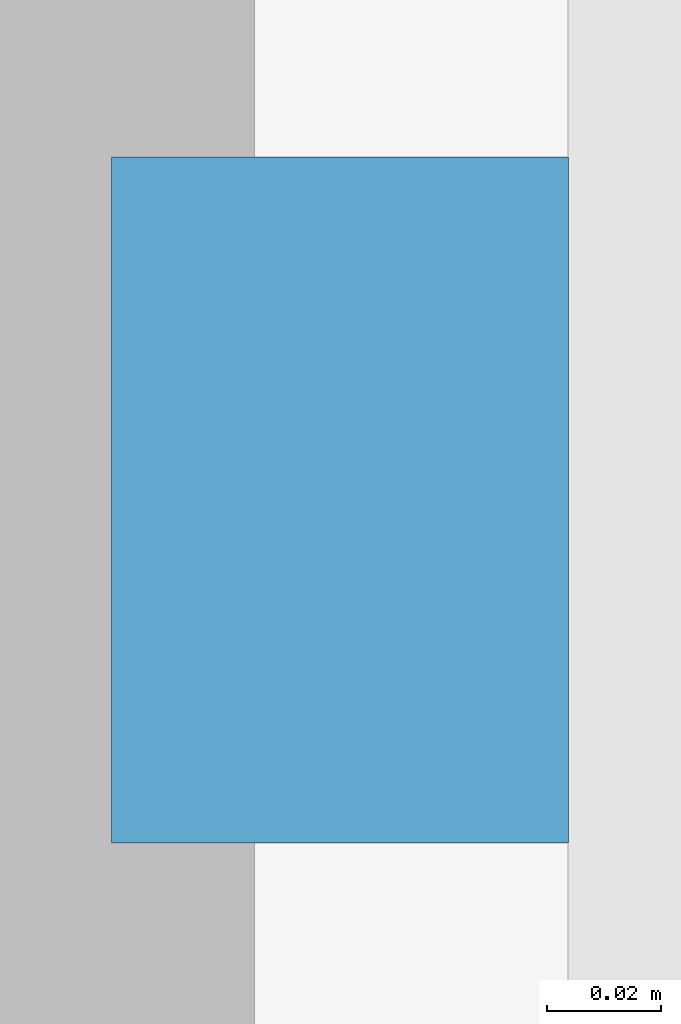
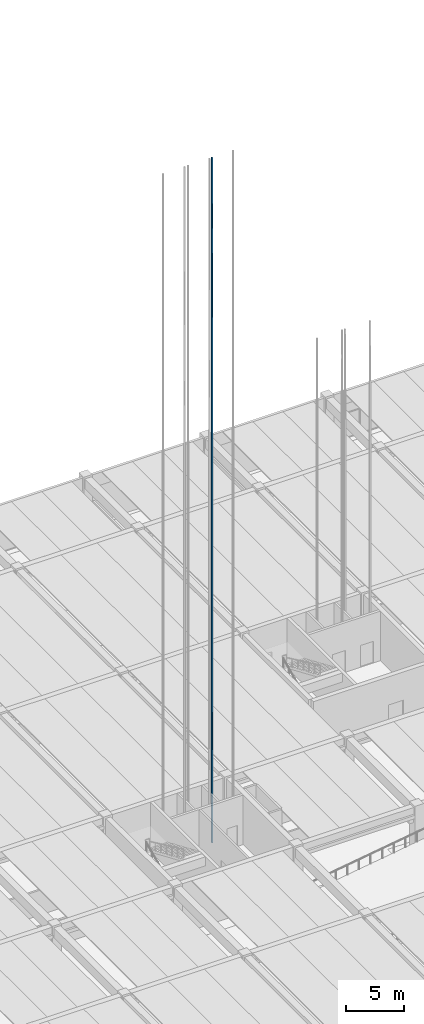
# One storey, part 41 of 59: 1 discrete accessory.
"""IFC4 building model written with IfcOpenShell, lengths in metres."""

import ifcopenshell
import ifcopenshell.guid

model = None  # the IFC model being written
_history = None  # IfcOwnerHistory: only IFC2X3 demands one
_inside = {}  # id of a spatial element -> (the spatial element, [elements in it])
_under = {}  # id of a project, library or spatial element -> (it, [spatial elements below it])
_declared = {}  # id of a project -> (the project, [libraries it declares])
_typed = {}  # id of a type object -> (the type object, [elements of that type])
_made_of = {}  # id of a material, layer set ... -> (it, [elements and type objects made of it])


def new_model(schema):
    """Start an empty IFC model of exactly this schema.

    Asked for "IFC4X3", IfcOpenShell would pick the latest addendum, in which some entities
    have other attributes; the version numbers below select the first issue.
    IFC2X3 requires an IfcOwnerHistory on every rooted entity: one is made here for all.
    """
    global model, _history
    if schema == "IFC4X3":
        model = ifcopenshell.file(schema_version=(4, 3, 0, 0))
    else:
        model = ifcopenshell.file(schema=schema)
    _inside.clear()
    _under.clear()
    _declared.clear()
    _typed.clear()
    _made_of.clear()
    _history = None
    if model.schema == "IFC2X3":
        org = make("IfcOrganization", Name="unknown")
        user = make(
            "IfcPersonAndOrganization",
            ThePerson=make("IfcPerson", FamilyName="unknown"),
            TheOrganization=org,
        )
        app = make(
            "IfcApplication",
            ApplicationDeveloper=org,
            Version="unknown",
            ApplicationFullName="unknown",
            ApplicationIdentifier="unknown",
        )
        _history = make(
            "IfcOwnerHistory",
            OwningUser=user,
            OwningApplication=app,
            ChangeAction="ADDED",
            CreationDate=0,
        )
    return model


def make(cls, **values):
    """One entity of the class cls with the attributes given. An attribute that is None is left unset."""
    return model.create_entity(
        cls, **{name: value for name, value in values.items() if value is not None}
    )


def rooted(cls, **values):
    """An entity with a GlobalId (a new one), such as an element, a storey or a relation."""
    return make(cls, GlobalId=ifcopenshell.guid.new(), OwnerHistory=_history, **values)


def si_unit(unit_type, name, prefix=None):
    """IfcSIUnit, for example si_unit("LENGTHUNIT", "METRE", prefix="MILLI")."""
    return make("IfcSIUnit", UnitType=unit_type, Prefix=prefix, Name=name)


def assignment(units):
    """IfcUnitAssignment: the units of a project."""
    return None if units is None else make("IfcUnitAssignment", Units=units)


def point(xyz):
    """IfcCartesianPoint."""
    return None if xyz is None else make("IfcCartesianPoint", Coordinates=xyz)


def direction(xyz):
    """IfcDirection."""
    return None if xyz is None else make("IfcDirection", DirectionRatios=xyz)


def frame(location, z_axis=None, x_axis=None):
    """IfcAxis2Placement3D, a coordinate frame: its origin and axes. An axis left out is left unset."""
    return make(
        "IfcAxis2Placement3D",
        Location=point(location),
        Axis=direction(z_axis),
        RefDirection=direction(x_axis),
    )


def frame_2d(location, x_axis=None):
    """IfcAxis2Placement2D, a coordinate frame in the plane: its origin and x axis."""
    return make(
        "IfcAxis2Placement2D", Location=point(location), RefDirection=direction(x_axis)
    )


def origin():
    """The frame at (0, 0, 0) with its axes left unset."""
    return frame((0.0, 0.0, 0.0))


def origin_2d():
    """The frame at (0, 0) in the plane with its x axis left unset."""
    return frame_2d((0.0, 0.0))


def place(relative_to, where):
    """IfcLocalPlacement: puts the frame where relative to a parent placement (None: the world)."""
    return make(
        "IfcLocalPlacement", PlacementRelTo=relative_to, RelativePlacement=where
    )


def context(
    kind, dimensions, precision=None, world=None, true_north=None, identifier=None
):
    """IfcGeometricRepresentationContext, for example the 3D "Model" context."""
    return make(
        "IfcGeometricRepresentationContext",
        ContextIdentifier=identifier,
        ContextType=kind,
        CoordinateSpaceDimension=dimensions,
        Precision=precision,
        WorldCoordinateSystem=world,
        TrueNorth=true_north,
    )


def subcontext(parent, identifier, kind, view, scale=None):
    """IfcGeometricRepresentationSubContext, for example "Body" below "Model"."""
    return make(
        "IfcGeometricRepresentationSubContext",
        ContextIdentifier=identifier,
        ContextType=kind,
        ParentContext=parent,
        TargetScale=scale,
        TargetView=view,
    )


def project(units=None, contexts=None):
    """IfcProject with its units and contexts."""
    return rooted(
        "IfcProject",
        Name="project",
        RepresentationContexts=contexts,
        UnitsInContext=assignment(units),
    )


def spatial(cls, under=None, at=None, **own):
    """A site, building, storey or space (cls), placed at a placement, below another one or the project."""
    s = rooted(cls, ObjectPlacement=at, **own)
    if under is not None:
        _under.setdefault(under.id(), (under, []))[1].append(s)
    return s


def profile(cls, at=None, kind="AREA", **sizes):
    """A parametric profile (cls). Its sizes go by their IFC names, for example OverallWidth=200.0."""
    return make(cls, ProfileType=kind, Position=at, **sizes)


def rectangle(**sizes):
    """IfcRectangleProfileDef."""
    return profile("IfcRectangleProfileDef", **sizes)


def extrude(swept, where, along, depth):
    """IfcExtrudedAreaSolid: the profile swept, set in the frame where, extruded along a direction by depth."""
    return make(
        "IfcExtrudedAreaSolid",
        SweptArea=swept,
        Position=where,
        ExtrudedDirection=direction(along),
        Depth=depth,
    )


def shape(context_of_items, identifier, shape_type, items):
    """IfcShapeRepresentation: the items that make up one representation, for example the "Body"."""
    return make(
        "IfcShapeRepresentation",
        ContextOfItems=context_of_items,
        RepresentationIdentifier=identifier,
        RepresentationType=shape_type,
        Items=items,
    )


def material(Name=None, Category=None):
    """IfcMaterial."""
    return make("IfcMaterial", Name=Name, Category=Category)


def made_of(thing, what):
    """Note that an element or type object is made of a material, layer set ...; save() writes the relation."""
    if what is not None:
        _made_of.setdefault(what.id(), (what, []))[1].append(thing)
    return thing


def type_object(cls, material=None, **own):
    """A type object (cls), such as IfcWallType, which elements share."""
    return made_of(rooted(cls, **own), material)


def element(
    cls,
    number,
    at=None,
    inside=None,
    cuts=None,
    type_object=None,
    material=None,
    context=None,
    identifier="Body",
    shape_type=None,
    held_by="IfcProductDefinitionShape",
    body=None,
    shapes=None,
    **own,
):
    """One element of the class cls, such as IfcWall. Its Tag is "e" and its number.

    at: its placement. inside: the storey or other place that contains it. cuts: it is an
    opening in that element (IfcRelVoidsElement). A single representation is given by context,
    identifier, shape_type and body (its items); several are given by shapes. held_by: the class
    of the entity that holds the representations. save() writes the other relations.
    """
    e = rooted(cls, Tag="e%d" % number, ObjectPlacement=at, **own)
    if body is not None:
        shapes = [shape(context, identifier, shape_type, body)]
    if shapes is not None:
        e.Representation = make(held_by, Representations=shapes)
    if inside is not None:
        _inside.setdefault(inside.id(), (inside, []))[1].append(e)
    if cuts is not None:
        rooted(
            "IfcRelVoidsElement", RelatingBuildingElement=cuts, RelatedOpeningElement=e
        )
    if type_object is not None:
        _typed.setdefault(type_object.id(), (type_object, []))[1].append(e)
    return made_of(e, material)


def aggregate(whole, parts):
    """IfcRelAggregates: a whole, such as a stair, and the parts it consists of."""
    return rooted("IfcRelAggregates", RelatingObject=whole, RelatedObjects=parts)


def save(model, path):
    """Write the relations noted so far, then the file.

    IfcRelAggregates (storeys below a building ...), IfcRelContainedInSpatialStructure (elements
    in a storey), IfcRelDefinesByType, IfcRelAssociatesMaterial and IfcRelDeclares: one each for
    every whole, place, type object, material and project.
    """
    for whole, parts in _under.values():
        aggregate(whole, parts)
    for where, things in _inside.values():
        rooted(
            "IfcRelContainedInSpatialStructure",
            RelatedElements=things,
            RelatingStructure=where,
        )
    for kind, things in _typed.values():
        rooted("IfcRelDefinesByType", RelatedObjects=things, RelatingType=kind)
    for what, things in _made_of.values():
        rooted("IfcRelAssociatesMaterial", RelatedObjects=things, RelatingMaterial=what)
    for by, libraries in _declared.values():
        rooted("IfcRelDeclares", RelatingContext=by, RelatedDefinitions=libraries)
    model.write(path)


model = new_model("IFC4")

# Units and contexts
model_context = context("Model", 3, precision=1e-05, world=origin(), true_north=direction((0.0, 1.0)))
body_context = subcontext(model_context, "Body", "Model", "MODEL_VIEW")
ifc_project = project(units=[si_unit("LENGTHUNIT", "METRE"), si_unit("AREAUNIT", "SQUARE_METRE"), si_unit("VOLUMEUNIT", "CUBIC_METRE"), si_unit("PLANEANGLEUNIT", "RADIAN"), si_unit("MASSUNIT", "GRAM", prefix="KILO")], contexts=[model_context])

# Site, building, storey
site_placement = place(None, origin())
site = spatial("IfcSite", under=ifc_project, at=site_placement, CompositionType="ELEMENT")
building_placement = place(site_placement, origin())
building = spatial("IfcBuilding", under=site, at=building_placement, Name="Girod Span Mobility Hub", CompositionType="ELEMENT")
storey_placement = place(building_placement, origin())
storey = spatial("IfcBuildingStorey", under=building, at=storey_placement, Name="L00", CompositionType="ELEMENT", Elevation=0.0)

# Discrete accessory
ifc_material = material(Name="Steel A992 Grade 50", Category="steel")
discrete_accessory_type = type_object("IfcDiscreteAccessoryType", Name="ACC-LFT-RAIL", PredefinedType="USERDEFINED", material=ifc_material)
discrete_accessory_placement = place(storey_placement, frame((57.594970703125, 67.300048828125, 0.0), z_axis=(0.0, 0.0, 1.0), x_axis=(1.0, 0.0, 0.0)))
element("IfcDiscreteAccessory", 1, at=discrete_accessory_placement, inside=storey, type_object=discrete_accessory_type, Name="Hoistway Guide Rail LP-2-W", ObjectType="GUIDE RAIL", PredefinedType="USERDEFINED", context=body_context, shape_type="SweptSolid", body=[
    extrude(rectangle(XDim=0.080078125, YDim=0.1201171875, at=origin_2d()), origin(), (0.0, 0.0, 1.0), 71.949951171875),
])

save(model, "model.ifc")
